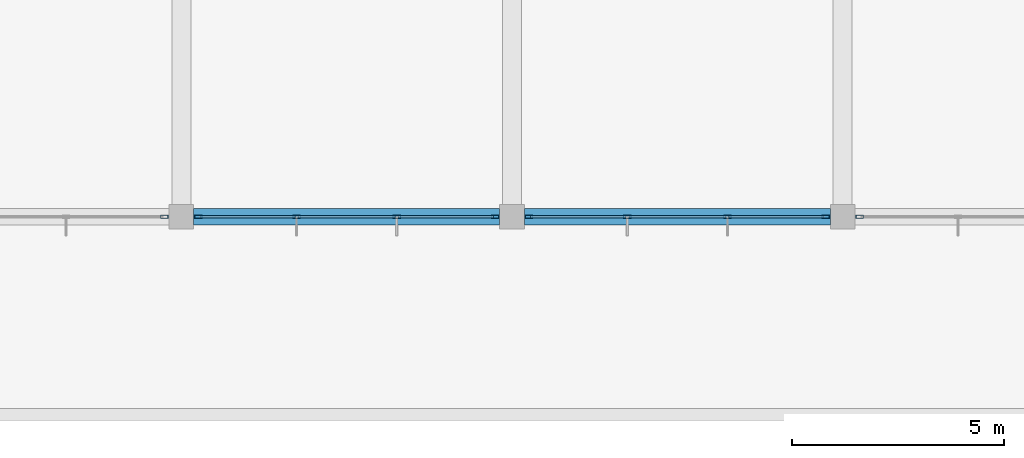
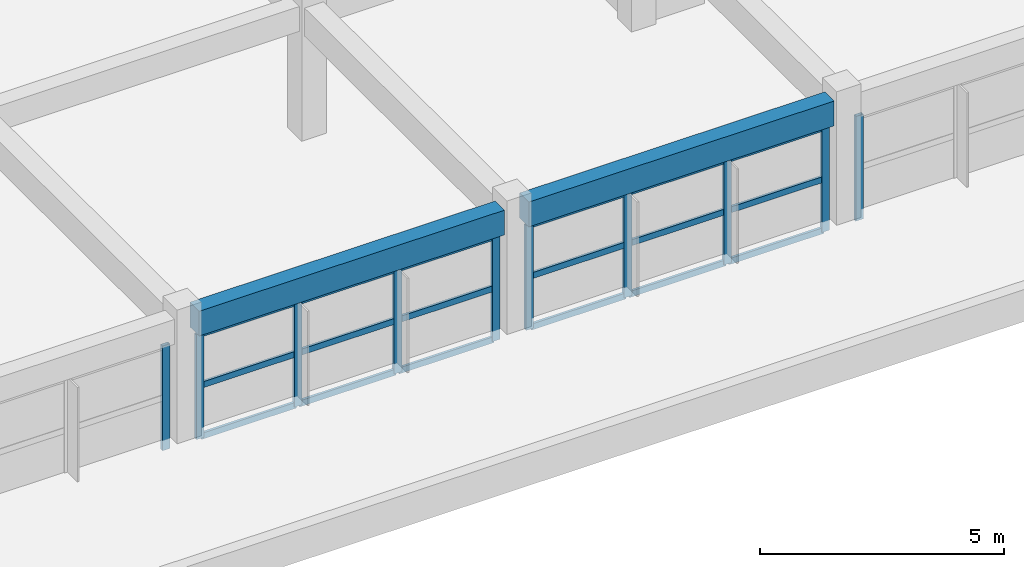
# One storey, part 52 of 101: 28 members, 2 beams, 4 elements without a shape of their own.
"""IFC4 building model written with IfcOpenShell, lengths in metres."""

from ifc_helpers import new_model, si_unit, direction, frame, origin, origin_2d, place, context, subcontext, project, spatial, rectangle, hollow_rectangle, extrude, material, layer, layer_set, material_profile, profile_set, type_object, element, aggregate, save


model = new_model("IFC4")

# Units and contexts
model_context = context("Model", 3, precision=1e-05, world=origin(), true_north=direction((0.0, 1.0)))
body_context = subcontext(model_context, "Body", "Model", "MODEL_VIEW")
ifc_project = project(units=[si_unit("LENGTHUNIT", "METRE"), si_unit("AREAUNIT", "SQUARE_METRE"), si_unit("VOLUMEUNIT", "CUBIC_METRE"), si_unit("PLANEANGLEUNIT", "RADIAN"), si_unit("MASSUNIT", "GRAM", prefix="KILO")], contexts=[model_context])

# Site, building, storey
site_placement = place(None, origin())
site = spatial("IfcSite", under=ifc_project, at=site_placement, CompositionType="ELEMENT")
building_placement = place(site_placement, origin())
building = spatial("IfcBuilding", under=site, at=building_placement, Name="Zizhar Promenade General Hospital", CompositionType="ELEMENT")
storey_placement = place(building_placement, frame((0.0, 0.0, 14.39990234375)))
storey = spatial("IfcBuildingStorey", under=building, at=storey_placement, Name="L03", CompositionType="ELEMENT", Elevation=14.39990234375)

# Beams
ifc_material_1 = material(Name="Concrete C35/45", Category="concrete")
ifc_material_profile_1 = material_profile(ifc_material_1, rectangle(XDim=0.3798828125, YDim=0.6201171875, at=origin_2d()))
ifc_profile_set_1 = profile_set([ifc_material_profile_1], Name="Concrete C35/45")
beam_type = type_object("IfcBeamType", Name="BM-RC-380x620", PredefinedType="JOIST", material=ifc_profile_set_1)
for number, where, z_axis, x_axis, name in (
    (1, (156.2900390625, 42.0, 3.0), (1.0, 0.0, 0.0), (0.0, 1.0, 0.0), "Grid Beam X L03 (20-5)"),
    (2, (164.090087890625, 42.0, 3.0), (1.0, 0.0, 0.0), (0.0, 1.0, 0.0), "Grid Beam X L03 (21-5)"),
):
    element("IfcBeam", number, at=place(storey_placement, frame(where, z_axis=z_axis, x_axis=x_axis)), inside=storey, type_object=beam_type, Name=name, PredefinedType="JOIST", context=body_context, shape_type="SweptSolid", body=[
        extrude(rectangle(XDim=0.3798828125, YDim=0.6201171875, at=origin_2d()), origin(), (0.0, 0.0, 1.0), 7.219970703125),
    ])

# Curtain wall, member
ifc_material_2 = material(Name="Anodised aluminium 6063-T6 and low-E glass", Category="aluminium")
ifc_layer = layer(ifc_material_2, 0.159912109375)
ifc_layer_set = layer_set([ifc_layer], Name="Anodised aluminium 6063-T6 and low-E glass")
curtain_wall_type = type_object("IfcCurtainWallType", Name="CW-CLN-L03", PredefinedType="NOTDEFINED", material=ifc_layer_set)
curtain_wall_1_placement = place(storey_placement, origin())
curtain_wall_1 = element("IfcCurtainWall", 3, at=curtain_wall_1_placement, inside=storey, type_object=curtain_wall_type, Name="L03 Clinic Pavilion South Glazing 19", PredefinedType="NOTDEFINED")
ifc_material_3 = material(Name="Anodised aluminium 6063-T6", Category="aluminium")
ifc_material_profile_2 = material_profile(ifc_material_3, hollow_rectangle(XDim=0.080078125, YDim=0.179931640625, WallThickness=0.0048828125, at=origin_2d()))
ifc_profile_set_2 = profile_set([ifc_material_profile_2], Name="Anodised aluminium 6063-T6")
member_type_1 = type_object("IfcMemberType", Name="CWM-ALU-180x80", PredefinedType="MULLION", material=ifc_profile_set_2)
member_1_placement = place(storey_placement, frame((155.60009765625, 42.0, 0.0), z_axis=(0.0, 0.0, 1.0), x_axis=(0.0, -1.0, 0.0)))
member_1 = element("IfcMember", 4, at=member_1_placement, type_object=member_type_1, Name="CW-11 mullion 1", PredefinedType="MULLION", context=body_context, shape_type="SweptSolid", body=[
    extrude(hollow_rectangle(XDim=0.080078125, YDim=0.179931640625, WallThickness=0.0048828125, at=origin_2d()), origin(), (0.0, 0.0, 1.0), 2.6201171875),
])
aggregate(curtain_wall_1, [member_1])

# Curtain wall, members
curtain_wall_2_placement = place(storey_placement, origin())
curtain_wall_2 = element("IfcCurtainWall", 5, at=curtain_wall_2_placement, inside=storey, type_object=curtain_wall_type, Name="L03 Clinic Pavilion South Glazing 20", PredefinedType="NOTDEFINED")
member_2_placement = place(storey_placement, frame((163.39990234375, 42.0, 0.0), z_axis=(0.0, 0.0, 1.0), x_axis=(0.0, -1.0, 0.0)))
member_2 = element("IfcMember", 6, at=member_2_placement, type_object=member_type_1, Name="CW-11 mullion 1", PredefinedType="MULLION", context=body_context, shape_type="SweptSolid", body=[
    extrude(hollow_rectangle(XDim=0.080078125, YDim=0.179931640625, WallThickness=0.0048828125, at=origin_2d()), origin(), (0.0, 0.0, 1.0), 2.6201171875),
])
member_3_placement = place(storey_placement, frame((161.080078125, 42.0, 0.0), z_axis=(0.0, 0.0, 1.0), x_axis=(0.0, -1.0, 0.0)))
member_3 = element("IfcMember", 7, at=member_3_placement, type_object=member_type_1, Name="CW-11 mullion 2", PredefinedType="MULLION", context=body_context, shape_type="SweptSolid", body=[
    extrude(hollow_rectangle(XDim=0.080078125, YDim=0.179931640625, WallThickness=0.0048828125, at=origin_2d()), origin(), (0.0, 0.0, 1.0), 2.6201171875),
])
member_4_placement = place(storey_placement, frame((158.719970703125, 42.0, 0.0), z_axis=(0.0, 0.0, 1.0), x_axis=(0.0, -1.0, 0.0)))
member_4 = element("IfcMember", 8, at=member_4_placement, type_object=member_type_1, Name="CW-11 mullion 3", PredefinedType="MULLION", context=body_context, shape_type="SweptSolid", body=[
    extrude(hollow_rectangle(XDim=0.080078125, YDim=0.179931640625, WallThickness=0.0048828125, at=origin_2d()), origin(), (0.0, 0.0, 1.0), 2.6201171875),
])
member_5_placement = place(storey_placement, frame((156.39990234375, 42.0, 0.0), z_axis=(0.0, 0.0, 1.0), x_axis=(0.0, -1.0, 0.0)))
member_5 = element("IfcMember", 9, at=member_5_placement, type_object=member_type_1, Name="CW-11 mullion 4", PredefinedType="MULLION", context=body_context, shape_type="SweptSolid", body=[
    extrude(hollow_rectangle(XDim=0.080078125, YDim=0.179931640625, WallThickness=0.0048828125, at=origin_2d()), origin(), (0.0, 0.0, 1.0), 2.6201171875),
])

curtain_wall_3_placement = place(storey_placement, origin())
curtain_wall_3 = element("IfcCurtainWall", 10, at=curtain_wall_3_placement, inside=storey, type_object=curtain_wall_type, Name="L03 Clinic Pavilion South Glazing 21", PredefinedType="NOTDEFINED")
member_6_placement = place(storey_placement, frame((171.199951171875, 42.0, 0.0), z_axis=(0.0, 0.0, 1.0), x_axis=(0.0, -1.0, 0.0)))
member_6 = element("IfcMember", 11, at=member_6_placement, type_object=member_type_1, Name="CW-11 mullion 1", PredefinedType="MULLION", context=body_context, shape_type="SweptSolid", body=[
    extrude(hollow_rectangle(XDim=0.080078125, YDim=0.179931640625, WallThickness=0.0048828125, at=origin_2d()), origin(), (0.0, 0.0, 1.0), 2.6201171875),
])
member_7_placement = place(storey_placement, frame((168.8798828125, 42.0, 0.0), z_axis=(0.0, 0.0, 1.0), x_axis=(0.0, -1.0, 0.0)))
member_7 = element("IfcMember", 12, at=member_7_placement, type_object=member_type_1, Name="CW-11 mullion 2", PredefinedType="MULLION", context=body_context, shape_type="SweptSolid", body=[
    extrude(hollow_rectangle(XDim=0.080078125, YDim=0.179931640625, WallThickness=0.0048828125, at=origin_2d()), origin(), (0.0, 0.0, 1.0), 2.6201171875),
])
member_8_placement = place(storey_placement, frame((166.52001953125, 42.0, 0.0), z_axis=(0.0, 0.0, 1.0), x_axis=(0.0, -1.0, 0.0)))
member_8 = element("IfcMember", 13, at=member_8_placement, type_object=member_type_1, Name="CW-11 mullion 3", PredefinedType="MULLION", context=body_context, shape_type="SweptSolid", body=[
    extrude(hollow_rectangle(XDim=0.080078125, YDim=0.179931640625, WallThickness=0.0048828125, at=origin_2d()), origin(), (0.0, 0.0, 1.0), 2.6201171875),
])
member_9_placement = place(storey_placement, frame((164.199951171875, 42.0, 0.0), z_axis=(0.0, 0.0, 1.0), x_axis=(0.0, -1.0, 0.0)))
member_9 = element("IfcMember", 14, at=member_9_placement, type_object=member_type_1, Name="CW-11 mullion 4", PredefinedType="MULLION", context=body_context, shape_type="SweptSolid", body=[
    extrude(hollow_rectangle(XDim=0.080078125, YDim=0.179931640625, WallThickness=0.0048828125, at=origin_2d()), origin(), (0.0, 0.0, 1.0), 2.6201171875),
])

# Curtain wall, member
curtain_wall_4_placement = place(storey_placement, origin())
curtain_wall_4 = element("IfcCurtainWall", 15, at=curtain_wall_4_placement, inside=storey, type_object=curtain_wall_type, Name="L03 Clinic Pavilion South Glazing 22", PredefinedType="NOTDEFINED")
member_10_placement = place(storey_placement, frame((172.0, 42.0, 0.0), z_axis=(0.0, 0.0, 1.0), x_axis=(0.0, -1.0, 0.0)))
member_10 = element("IfcMember", 16, at=member_10_placement, type_object=member_type_1, Name="CW-11 mullion 4", PredefinedType="MULLION", context=body_context, shape_type="SweptSolid", body=[
    extrude(hollow_rectangle(XDim=0.080078125, YDim=0.179931640625, WallThickness=0.0048828125, at=origin_2d()), origin(), (0.0, 0.0, 1.0), 2.6201171875),
])
aggregate(curtain_wall_4, [member_10])

# Member
ifc_material_4 = material(Name="Anodised aluminium 6063-T6", Category="aluminium")
ifc_material_profile_3 = material_profile(ifc_material_4, hollow_rectangle(XDim=0.06005859375, YDim=0.14990234375, WallThickness=0.00390625, at=origin_2d()))
ifc_profile_set_3 = profile_set([ifc_material_profile_3], Name="Anodised aluminium 6063-T6")
member_type_2 = type_object("IfcMemberType", Name="CWT-ALU-150x60", PredefinedType="USERDEFINED", material=ifc_profile_set_3)
member_11_placement = place(storey_placement, frame((163.360107421875, 42.0, 0.030029296875), z_axis=(-1.0, 0.0, 0.0), x_axis=(0.0, -1.0, 0.0)))
member_11 = element("IfcMember", 17, at=member_11_placement, type_object=member_type_2, Name="CW-11 transom 1.1", ObjectType="TRANSOM", PredefinedType="USERDEFINED", context=body_context, shape_type="SweptSolid", body=[
    extrude(hollow_rectangle(XDim=0.06005859375, YDim=0.14990234375, WallThickness=0.00390625, at=origin_2d()), origin(), (0.0, 0.0, 1.0), 2.239990234375),
])

member_12_placement = place(storey_placement, frame((163.360107421875, 42.0, 1.31005859375), z_axis=(-1.0, 0.0, 0.0), x_axis=(0.0, -1.0, 0.0)))
member_12 = element("IfcMember", 18, at=member_12_placement, type_object=member_type_2, Name="CW-11 transom 1.2", ObjectType="TRANSOM", PredefinedType="USERDEFINED", context=body_context, shape_type="SweptSolid", body=[
    extrude(hollow_rectangle(XDim=0.06005859375, YDim=0.14990234375, WallThickness=0.00390625, at=origin_2d()), origin(), (0.0, 0.0, 1.0), 2.239990234375),
])

member_13_placement = place(storey_placement, frame((163.360107421875, 42.0, 2.590087890625), z_axis=(-1.0, 0.0, 0.0), x_axis=(0.0, -1.0, 0.0)))
member_13 = element("IfcMember", 19, at=member_13_placement, type_object=member_type_2, Name="CW-11 transom 1.3", ObjectType="TRANSOM", PredefinedType="USERDEFINED", context=body_context, shape_type="SweptSolid", body=[
    extrude(hollow_rectangle(XDim=0.06005859375, YDim=0.14990234375, WallThickness=0.00390625, at=origin_2d()), origin(), (0.0, 0.0, 1.0), 2.239990234375),
])

member_14_placement = place(storey_placement, frame((161.0400390625, 42.0, 0.030029296875), z_axis=(-1.0, 0.0, 0.0), x_axis=(0.0, -1.0, 0.0)))
member_14 = element("IfcMember", 20, at=member_14_placement, type_object=member_type_2, Name="CW-11 transom 2.1", ObjectType="TRANSOM", PredefinedType="USERDEFINED", context=body_context, shape_type="SweptSolid", body=[
    extrude(hollow_rectangle(XDim=0.06005859375, YDim=0.14990234375, WallThickness=0.00390625, at=origin_2d()), origin(), (0.0, 0.0, 1.0), 2.280029296875),
])

member_15_placement = place(storey_placement, frame((161.0400390625, 42.0, 1.31005859375), z_axis=(-1.0, 0.0, 0.0), x_axis=(0.0, -1.0, 0.0)))
member_15 = element("IfcMember", 21, at=member_15_placement, type_object=member_type_2, Name="CW-11 transom 2.2", ObjectType="TRANSOM", PredefinedType="USERDEFINED", context=body_context, shape_type="SweptSolid", body=[
    extrude(hollow_rectangle(XDim=0.06005859375, YDim=0.14990234375, WallThickness=0.00390625, at=origin_2d()), origin(), (0.0, 0.0, 1.0), 2.280029296875),
])

member_16_placement = place(storey_placement, frame((161.0400390625, 42.0, 2.590087890625), z_axis=(-1.0, 0.0, 0.0), x_axis=(0.0, -1.0, 0.0)))
member_16 = element("IfcMember", 22, at=member_16_placement, type_object=member_type_2, Name="CW-11 transom 2.3", ObjectType="TRANSOM", PredefinedType="USERDEFINED", context=body_context, shape_type="SweptSolid", body=[
    extrude(hollow_rectangle(XDim=0.06005859375, YDim=0.14990234375, WallThickness=0.00390625, at=origin_2d()), origin(), (0.0, 0.0, 1.0), 2.280029296875),
])

member_17_placement = place(storey_placement, frame((158.679931640625, 42.0, 0.030029296875), z_axis=(-1.0, 0.0, 0.0), x_axis=(0.0, -1.0, 0.0)))
member_17 = element("IfcMember", 23, at=member_17_placement, type_object=member_type_2, Name="CW-11 transom 3.1", ObjectType="TRANSOM", PredefinedType="USERDEFINED", context=body_context, shape_type="SweptSolid", body=[
    extrude(hollow_rectangle(XDim=0.06005859375, YDim=0.14990234375, WallThickness=0.00390625, at=origin_2d()), origin(), (0.0, 0.0, 1.0), 2.239990234375),
])

member_18_placement = place(storey_placement, frame((158.679931640625, 42.0, 1.31005859375), z_axis=(-1.0, 0.0, 0.0), x_axis=(0.0, -1.0, 0.0)))
member_18 = element("IfcMember", 24, at=member_18_placement, type_object=member_type_2, Name="CW-11 transom 3.2", ObjectType="TRANSOM", PredefinedType="USERDEFINED", context=body_context, shape_type="SweptSolid", body=[
    extrude(hollow_rectangle(XDim=0.06005859375, YDim=0.14990234375, WallThickness=0.00390625, at=origin_2d()), origin(), (0.0, 0.0, 1.0), 2.239990234375),
])

member_19_placement = place(storey_placement, frame((158.679931640625, 42.0, 2.590087890625), z_axis=(-1.0, 0.0, 0.0), x_axis=(0.0, -1.0, 0.0)))
member_19 = element("IfcMember", 25, at=member_19_placement, type_object=member_type_2, Name="CW-11 transom 3.3", ObjectType="TRANSOM", PredefinedType="USERDEFINED", context=body_context, shape_type="SweptSolid", body=[
    extrude(hollow_rectangle(XDim=0.06005859375, YDim=0.14990234375, WallThickness=0.00390625, at=origin_2d()), origin(), (0.0, 0.0, 1.0), 2.239990234375),
])

aggregate(curtain_wall_2, [member_2, member_3, member_4, member_5, member_11, member_12, member_13, member_14, member_15, member_16, member_17, member_18, member_19])

member_20_placement = place(storey_placement, frame((171.159912109375, 42.0, 0.030029296875), z_axis=(-1.0, 0.0, 0.0), x_axis=(0.0, -1.0, 0.0)))
member_20 = element("IfcMember", 26, at=member_20_placement, type_object=member_type_2, Name="CW-11 transom 1.1", ObjectType="TRANSOM", PredefinedType="USERDEFINED", context=body_context, shape_type="SweptSolid", body=[
    extrude(hollow_rectangle(XDim=0.06005859375, YDim=0.14990234375, WallThickness=0.00390625, at=origin_2d()), origin(), (0.0, 0.0, 1.0), 2.239990234375),
])

member_21_placement = place(storey_placement, frame((171.159912109375, 42.0, 1.31005859375), z_axis=(-1.0, 0.0, 0.0), x_axis=(0.0, -1.0, 0.0)))
member_21 = element("IfcMember", 27, at=member_21_placement, type_object=member_type_2, Name="CW-11 transom 1.2", ObjectType="TRANSOM", PredefinedType="USERDEFINED", context=body_context, shape_type="SweptSolid", body=[
    extrude(hollow_rectangle(XDim=0.06005859375, YDim=0.14990234375, WallThickness=0.00390625, at=origin_2d()), origin(), (0.0, 0.0, 1.0), 2.239990234375),
])

member_22_placement = place(storey_placement, frame((171.159912109375, 42.0, 2.590087890625), z_axis=(-1.0, 0.0, 0.0), x_axis=(0.0, -1.0, 0.0)))
member_22 = element("IfcMember", 28, at=member_22_placement, type_object=member_type_2, Name="CW-11 transom 1.3", ObjectType="TRANSOM", PredefinedType="USERDEFINED", context=body_context, shape_type="SweptSolid", body=[
    extrude(hollow_rectangle(XDim=0.06005859375, YDim=0.14990234375, WallThickness=0.00390625, at=origin_2d()), origin(), (0.0, 0.0, 1.0), 2.239990234375),
])

member_23_placement = place(storey_placement, frame((168.840087890625, 42.0, 0.030029296875), z_axis=(-1.0, 0.0, 0.0), x_axis=(0.0, -1.0, 0.0)))
member_23 = element("IfcMember", 29, at=member_23_placement, type_object=member_type_2, Name="CW-11 transom 2.1", ObjectType="TRANSOM", PredefinedType="USERDEFINED", context=body_context, shape_type="SweptSolid", body=[
    extrude(hollow_rectangle(XDim=0.06005859375, YDim=0.14990234375, WallThickness=0.00390625, at=origin_2d()), origin(), (0.0, 0.0, 1.0), 2.280029296875),
])

member_24_placement = place(storey_placement, frame((168.840087890625, 42.0, 1.31005859375), z_axis=(-1.0, 0.0, 0.0), x_axis=(0.0, -1.0, 0.0)))
member_24 = element("IfcMember", 30, at=member_24_placement, type_object=member_type_2, Name="CW-11 transom 2.2", ObjectType="TRANSOM", PredefinedType="USERDEFINED", context=body_context, shape_type="SweptSolid", body=[
    extrude(hollow_rectangle(XDim=0.06005859375, YDim=0.14990234375, WallThickness=0.00390625, at=origin_2d()), origin(), (0.0, 0.0, 1.0), 2.280029296875),
])

member_25_placement = place(storey_placement, frame((168.840087890625, 42.0, 2.590087890625), z_axis=(-1.0, 0.0, 0.0), x_axis=(0.0, -1.0, 0.0)))
member_25 = element("IfcMember", 31, at=member_25_placement, type_object=member_type_2, Name="CW-11 transom 2.3", ObjectType="TRANSOM", PredefinedType="USERDEFINED", context=body_context, shape_type="SweptSolid", body=[
    extrude(hollow_rectangle(XDim=0.06005859375, YDim=0.14990234375, WallThickness=0.00390625, at=origin_2d()), origin(), (0.0, 0.0, 1.0), 2.280029296875),
])

member_26_placement = place(storey_placement, frame((166.47998046875, 42.0, 0.030029296875), z_axis=(-1.0, 0.0, 0.0), x_axis=(0.0, -1.0, 0.0)))
member_26 = element("IfcMember", 32, at=member_26_placement, type_object=member_type_2, Name="CW-11 transom 3.1", ObjectType="TRANSOM", PredefinedType="USERDEFINED", context=body_context, shape_type="SweptSolid", body=[
    extrude(hollow_rectangle(XDim=0.06005859375, YDim=0.14990234375, WallThickness=0.00390625, at=origin_2d()), origin(), (0.0, 0.0, 1.0), 2.239990234375),
])

member_27_placement = place(storey_placement, frame((166.47998046875, 42.0, 1.31005859375), z_axis=(-1.0, 0.0, 0.0), x_axis=(0.0, -1.0, 0.0)))
member_27 = element("IfcMember", 33, at=member_27_placement, type_object=member_type_2, Name="CW-11 transom 3.2", ObjectType="TRANSOM", PredefinedType="USERDEFINED", context=body_context, shape_type="SweptSolid", body=[
    extrude(hollow_rectangle(XDim=0.06005859375, YDim=0.14990234375, WallThickness=0.00390625, at=origin_2d()), origin(), (0.0, 0.0, 1.0), 2.239990234375),
])

member_28_placement = place(storey_placement, frame((166.47998046875, 42.0, 2.590087890625), z_axis=(-1.0, 0.0, 0.0), x_axis=(0.0, -1.0, 0.0)))
member_28 = element("IfcMember", 34, at=member_28_placement, type_object=member_type_2, Name="CW-11 transom 3.3", ObjectType="TRANSOM", PredefinedType="USERDEFINED", context=body_context, shape_type="SweptSolid", body=[
    extrude(hollow_rectangle(XDim=0.06005859375, YDim=0.14990234375, WallThickness=0.00390625, at=origin_2d()), origin(), (0.0, 0.0, 1.0), 2.239990234375),
])

aggregate(curtain_wall_3, [member_6, member_7, member_8, member_9, member_20, member_21, member_22, member_23, member_24, member_25, member_26, member_27, member_28])

save(model, "model.ifc")
